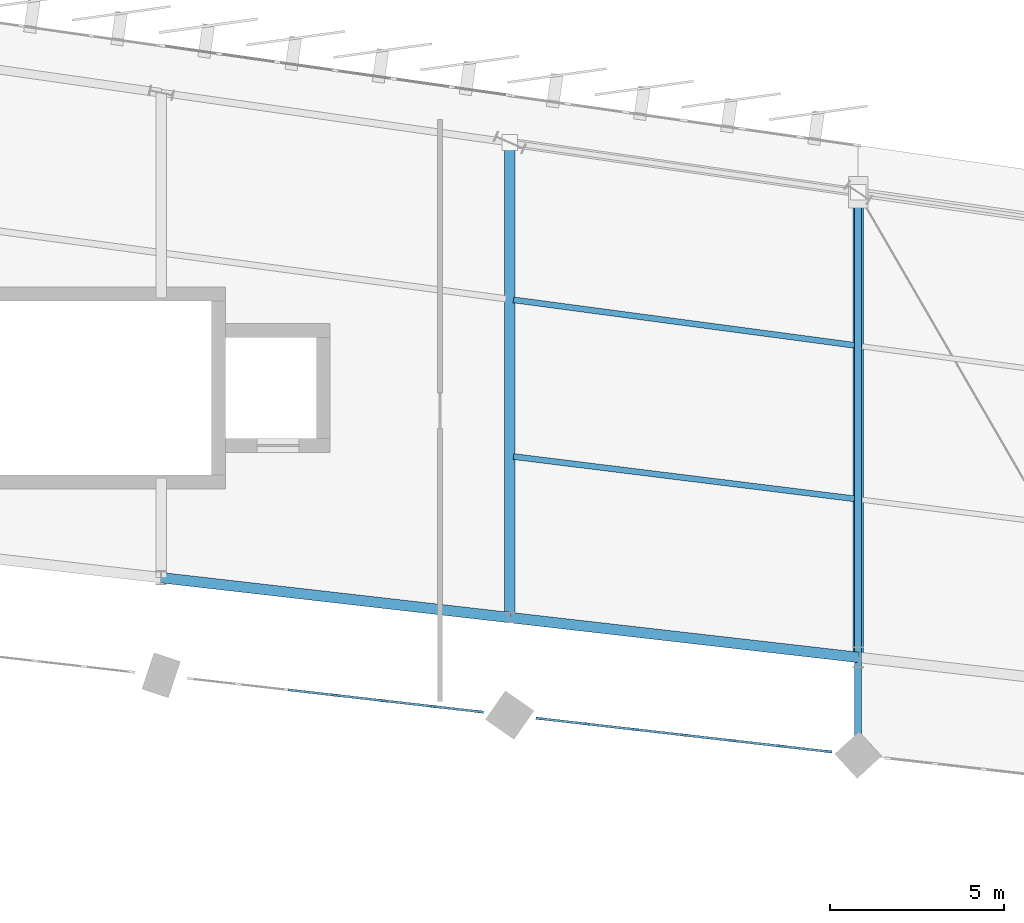
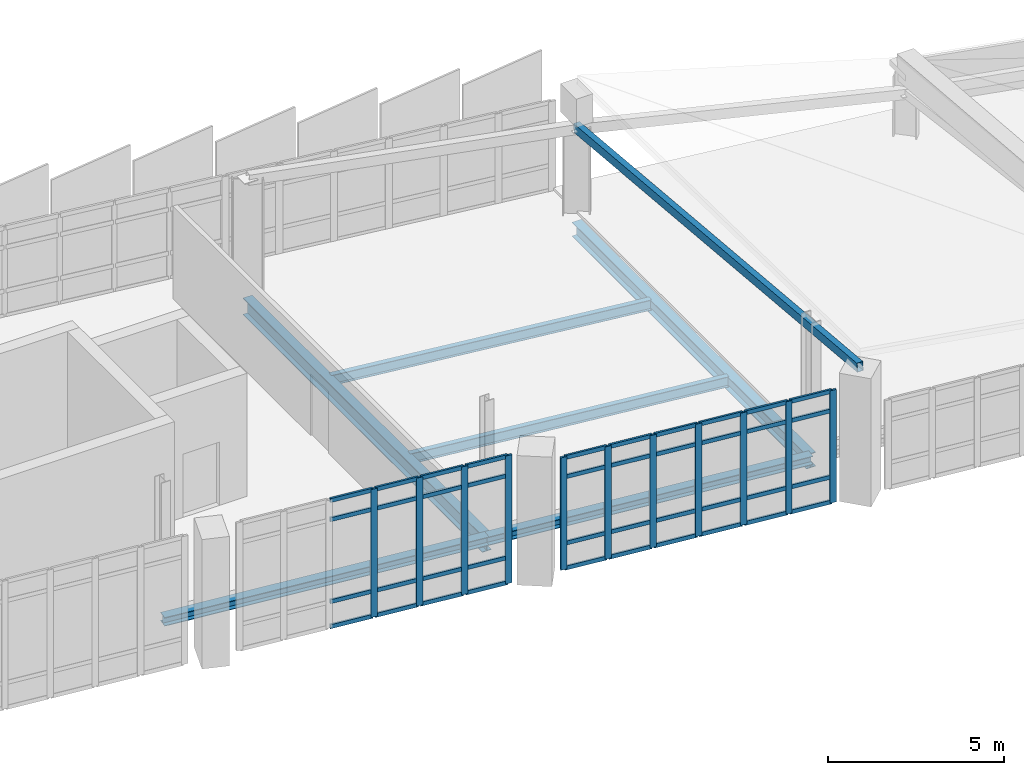
# One storey, part 39 of 67: 52 members, 6 beams, 2 elements without a shape of their own.
"""IFC4 building model written with IfcOpenShell, lengths in metres."""

from ifc_helpers import new_model, si_unit, direction, frame, origin, origin_2d, place, context, subcontext, project, spatial, rectangle, hollow_rectangle, i_section, extrude, material, layer, layer_set, material_profile, profile_set, type_object, element, aggregate, save


model = new_model("IFC4")

# Units and contexts
model_context = context("Model", 3, precision=1e-05, world=origin(), true_north=direction((0.0, 1.0)))
body_context = subcontext(model_context, "Body", "Model", "MODEL_VIEW")
ifc_project = project(units=[si_unit("LENGTHUNIT", "METRE"), si_unit("AREAUNIT", "SQUARE_METRE"), si_unit("VOLUMEUNIT", "CUBIC_METRE"), si_unit("PLANEANGLEUNIT", "RADIAN"), si_unit("MASSUNIT", "GRAM", prefix="KILO")], contexts=[model_context])

# Site, building, storey
site_placement = place(None, origin())
site = spatial("IfcSite", under=ifc_project, at=site_placement, CompositionType="ELEMENT")
building_placement = place(site_placement, origin())
building = spatial("IfcBuilding", under=site, at=building_placement, Name="Sohan Crest Arena", CompositionType="ELEMENT")
storey_placement = place(building_placement, frame((0.0, 0.0, 22.5)))
storey = spatial("IfcBuildingStorey", under=building, at=storey_placement, Name="L05", CompositionType="ELEMENT", Elevation=22.5)

# Curtain wall, members
ifc_material_1 = material(Name="Thermally broken anodised aluminium", Category="aluminium")
ifc_layer = layer(ifc_material_1, 0.18994140625, Name="Thermally broken anodised aluminium")
ifc_layer_set = layer_set([ifc_layer], Name="Thermally broken anodised aluminium")
curtain_wall_type = type_object("IfcCurtainWallType", Name="ARC-CW05", PredefinedType="NOTDEFINED", material=ifc_layer_set)
curtain_wall_1_placement = place(storey_placement, origin())
curtain_wall_1 = element("IfcCurtainWall", 1, at=curtain_wall_1_placement, inside=storey, type_object=curtain_wall_type, Name="Unitised curtain wall CW-198", PredefinedType="NOTDEFINED")
ifc_material_profile_1 = material_profile(ifc_material_1, rectangle(XDim=0.070068359375, YDim=0.199951171875, at=origin_2d()), Name="ALU-MULL 70x200")
ifc_profile_set_1 = profile_set([ifc_material_profile_1], Name="Thermally broken anodised aluminium")
member_type_1 = type_object("IfcMemberType", Name="ARC-CW-ML03", PredefinedType="MULLION", material=ifc_profile_set_1)
member_1_placement = place(storey_placement, frame((127.150146484375, 105.66796875, 0.0), z_axis=(0.0, 0.0, 1.0), x_axis=(-0.11359680696, -0.993526932422, 0.0)))
member_1 = element("IfcMember", 2, at=member_1_placement, type_object=member_type_1, Name="CW-198 mullion 1", PredefinedType="MULLION", context=body_context, shape_type="SweptSolid", body=[
    extrude(rectangle(XDim=0.070068359375, YDim=0.199951171875, at=origin_2d()), origin(), (0.0, 0.0, 1.0), 3.906005859375),
])
member_2_placement = place(storey_placement, frame((125.7900390625, 105.823486328125, 0.0), z_axis=(0.0, 0.0, 1.0), x_axis=(-0.11359680696, -0.993526932422, 0.0)))
member_2 = element("IfcMember", 3, at=member_2_placement, type_object=member_type_1, Name="CW-198 mullion 2", PredefinedType="MULLION", context=body_context, shape_type="SweptSolid", body=[
    extrude(rectangle(XDim=0.070068359375, YDim=0.199951171875, at=origin_2d()), origin(), (0.0, 0.0, 1.0), 3.906005859375),
])
member_3_placement = place(storey_placement, frame((124.39501953125, 105.98291015625, 0.0), z_axis=(0.0, 0.0, 1.0), x_axis=(-0.11359680696, -0.993526932422, 0.0)))
member_3 = element("IfcMember", 4, at=member_3_placement, type_object=member_type_1, Name="CW-198 mullion 3", PredefinedType="MULLION", context=body_context, shape_type="SweptSolid", body=[
    extrude(rectangle(XDim=0.070068359375, YDim=0.199951171875, at=origin_2d()), origin(), (0.0, 0.0, 1.0), 3.906005859375),
])
member_4_placement = place(storey_placement, frame((123.0, 106.142578125, 0.0), z_axis=(0.0, 0.0, 1.0), x_axis=(-0.11359680696, -0.993526932422, 0.0)))
member_4 = element("IfcMember", 5, at=member_4_placement, type_object=member_type_1, Name="CW-198 mullion 4", PredefinedType="MULLION", context=body_context, shape_type="SweptSolid", body=[
    extrude(rectangle(XDim=0.070068359375, YDim=0.199951171875, at=origin_2d()), origin(), (0.0, 0.0, 1.0), 3.906005859375),
])
member_5_placement = place(storey_placement, frame((121.60498046875, 106.302001953125, 0.0), z_axis=(0.0, 0.0, 1.0), x_axis=(-0.11359680696, -0.993526932422, 0.0)))
member_5 = element("IfcMember", 6, at=member_5_placement, type_object=member_type_1, Name="CW-198 mullion 5", PredefinedType="MULLION", context=body_context, shape_type="SweptSolid", body=[
    extrude(rectangle(XDim=0.070068359375, YDim=0.199951171875, at=origin_2d()), origin(), (0.0, 0.0, 1.0), 3.906005859375),
])
member_6_placement = place(storey_placement, frame((120.2099609375, 106.46142578125, 0.0), z_axis=(0.0, 0.0, 1.0), x_axis=(-0.11359680696, -0.993526932422, 0.0)))
member_6 = element("IfcMember", 7, at=member_6_placement, type_object=member_type_1, Name="CW-198 mullion 6", PredefinedType="MULLION", context=body_context, shape_type="SweptSolid", body=[
    extrude(rectangle(XDim=0.070068359375, YDim=0.199951171875, at=origin_2d()), origin(), (0.0, 0.0, 1.0), 3.906005859375),
])
member_7_placement = place(storey_placement, frame((118.849853515625, 106.616943359375, 0.0), z_axis=(0.0, 0.0, 1.0), x_axis=(-0.11359680696, -0.993526932422, 0.0)))
member_7 = element("IfcMember", 8, at=member_7_placement, type_object=member_type_1, Name="CW-198 mullion 7", PredefinedType="MULLION", context=body_context, shape_type="SweptSolid", body=[
    extrude(rectangle(XDim=0.070068359375, YDim=0.199951171875, at=origin_2d()), origin(), (0.0, 0.0, 1.0), 3.906005859375),
])

curtain_wall_2_placement = place(storey_placement, origin())
curtain_wall_2 = element("IfcCurtainWall", 9, at=curtain_wall_2_placement, inside=storey, type_object=curtain_wall_type, Name="Unitised curtain wall CW-199", PredefinedType="NOTDEFINED")
member_8_placement = place(storey_placement, frame((117.150146484375, 106.81103515625, 0.0), z_axis=(0.0, 0.0, 1.0), x_axis=(-0.11359680696, -0.993526932422, 0.0)))
member_8 = element("IfcMember", 10, at=member_8_placement, type_object=member_type_1, Name="CW-199 mullion 1", PredefinedType="MULLION", context=body_context, shape_type="SweptSolid", body=[
    extrude(rectangle(XDim=0.070068359375, YDim=0.199951171875, at=origin_2d()), origin(), (0.0, 0.0, 1.0), 4.449951171875),
])
member_9_placement = place(storey_placement, frame((115.7900390625, 106.966552734375, 0.0), z_axis=(0.0, 0.0, 1.0), x_axis=(-0.11359680696, -0.993526932422, 0.0)))
member_9 = element("IfcMember", 11, at=member_9_placement, type_object=member_type_1, Name="CW-199 mullion 2", PredefinedType="MULLION", context=body_context, shape_type="SweptSolid", body=[
    extrude(rectangle(XDim=0.070068359375, YDim=0.199951171875, at=origin_2d()), origin(), (0.0, 0.0, 1.0), 4.449951171875),
])
member_10_placement = place(storey_placement, frame((114.39501953125, 107.1259765625, 0.0), z_axis=(0.0, 0.0, 1.0), x_axis=(-0.11359680696, -0.993526932422, 0.0)))
member_10 = element("IfcMember", 12, at=member_10_placement, type_object=member_type_1, Name="CW-199 mullion 3", PredefinedType="MULLION", context=body_context, shape_type="SweptSolid", body=[
    extrude(rectangle(XDim=0.070068359375, YDim=0.199951171875, at=origin_2d()), origin(), (0.0, 0.0, 1.0), 4.449951171875),
])
member_11_placement = place(storey_placement, frame((113.0, 107.285400390625, 0.0), z_axis=(0.0, 0.0, 1.0), x_axis=(-0.11359680696, -0.993526932422, 0.0)))
member_11 = element("IfcMember", 13, at=member_11_placement, type_object=member_type_1, Name="CW-199 mullion 4", PredefinedType="MULLION", context=body_context, shape_type="SweptSolid", body=[
    extrude(rectangle(XDim=0.070068359375, YDim=0.199951171875, at=origin_2d()), origin(), (0.0, 0.0, 1.0), 4.449951171875),
])

# Member
ifc_material_profile_2 = material_profile(ifc_material_1, rectangle(XDim=0.06494140625, YDim=0.139892578125, at=origin_2d()), Name="ALU-TRAN 65x140")
ifc_profile_set_2 = profile_set([ifc_material_profile_2], Name="Thermally broken anodised aluminium")
member_type_2 = type_object("IfcMemberType", Name="ARC-CW-TR02", PredefinedType="USERDEFINED", material=ifc_profile_set_2)
member_12_placement = place(storey_placement, frame((127.115478515625, 105.671875, 0.032470703125), z_axis=(-0.99351630859, 0.113689685398, 0.0), x_axis=(-0.113689685398, -0.99351630859, 0.0)))
member_12 = element("IfcMember", 14, at=member_12_placement, type_object=member_type_2, Name="CW-198 transom 1.1", ObjectType="TRANSOM", PredefinedType="USERDEFINED", context=body_context, shape_type="SweptSolid", body=[
    extrude(rectangle(XDim=0.06494140625, YDim=0.139892578125, at=origin_2d()), origin(), (0.0, 0.0, 1.0), 1.29931640625),
])

member_13_placement = place(storey_placement, frame((127.115478515625, 105.671875, 0.89990234375), z_axis=(-0.99351630859, 0.113689685398, 0.0), x_axis=(-0.113689685398, -0.99351630859, 0.0)))
member_13 = element("IfcMember", 15, at=member_13_placement, type_object=member_type_2, Name="CW-198 transom 1.2", ObjectType="TRANSOM", PredefinedType="USERDEFINED", context=body_context, shape_type="SweptSolid", body=[
    extrude(rectangle(XDim=0.06494140625, YDim=0.139892578125, at=origin_2d()), origin(), (0.0, 0.0, 1.0), 1.29931640625),
])

member_14_placement = place(storey_placement, frame((127.115478515625, 105.671875, 3.2060546875), z_axis=(-0.99351630859, 0.113689685398, 0.0), x_axis=(-0.113689685398, -0.99351630859, 0.0)))
member_14 = element("IfcMember", 16, at=member_14_placement, type_object=member_type_2, Name="CW-198 transom 1.3", ObjectType="TRANSOM", PredefinedType="USERDEFINED", context=body_context, shape_type="SweptSolid", body=[
    extrude(rectangle(XDim=0.06494140625, YDim=0.139892578125, at=origin_2d()), origin(), (0.0, 0.0, 1.0), 1.29931640625),
])

member_15_placement = place(storey_placement, frame((127.115478515625, 105.671875, 3.87353515625), z_axis=(-0.99351630859, 0.113689685398, 0.0), x_axis=(-0.113689685398, -0.99351630859, 0.0)))
member_15 = element("IfcMember", 17, at=member_15_placement, type_object=member_type_2, Name="CW-198 transom 1.4", ObjectType="TRANSOM", PredefinedType="USERDEFINED", context=body_context, shape_type="SweptSolid", body=[
    extrude(rectangle(XDim=0.06494140625, YDim=0.139892578125, at=origin_2d()), origin(), (0.0, 0.0, 1.0), 1.29931640625),
])

member_16_placement = place(storey_placement, frame((125.755126953125, 105.827392578125, 0.032470703125), z_axis=(-0.993521460563, 0.113644654082, 0.0), x_axis=(-0.113644654082, -0.993521460563, 0.0)))
member_16 = element("IfcMember", 18, at=member_16_placement, type_object=member_type_2, Name="CW-198 transom 2.1", ObjectType="TRANSOM", PredefinedType="USERDEFINED", context=body_context, shape_type="SweptSolid", body=[
    extrude(rectangle(XDim=0.06494140625, YDim=0.139892578125, at=origin_2d()), origin(), (0.0, 0.0, 1.0), 1.333984375),
])

member_17_placement = place(storey_placement, frame((125.755126953125, 105.827392578125, 0.89990234375), z_axis=(-0.993521460563, 0.113644654082, 0.0), x_axis=(-0.113644654082, -0.993521460563, 0.0)))
member_17 = element("IfcMember", 19, at=member_17_placement, type_object=member_type_2, Name="CW-198 transom 2.2", ObjectType="TRANSOM", PredefinedType="USERDEFINED", context=body_context, shape_type="SweptSolid", body=[
    extrude(rectangle(XDim=0.06494140625, YDim=0.139892578125, at=origin_2d()), origin(), (0.0, 0.0, 1.0), 1.333984375),
])

member_18_placement = place(storey_placement, frame((125.755126953125, 105.827392578125, 3.2060546875), z_axis=(-0.993521460563, 0.113644654082, 0.0), x_axis=(-0.113644654082, -0.993521460563, 0.0)))
member_18 = element("IfcMember", 20, at=member_18_placement, type_object=member_type_2, Name="CW-198 transom 2.3", ObjectType="TRANSOM", PredefinedType="USERDEFINED", context=body_context, shape_type="SweptSolid", body=[
    extrude(rectangle(XDim=0.06494140625, YDim=0.139892578125, at=origin_2d()), origin(), (0.0, 0.0, 1.0), 1.333984375),
])

member_19_placement = place(storey_placement, frame((125.755126953125, 105.827392578125, 3.87353515625), z_axis=(-0.993521460563, 0.113644654082, 0.0), x_axis=(-0.113644654082, -0.993521460563, 0.0)))
member_19 = element("IfcMember", 21, at=member_19_placement, type_object=member_type_2, Name="CW-198 transom 2.4", ObjectType="TRANSOM", PredefinedType="USERDEFINED", context=body_context, shape_type="SweptSolid", body=[
    extrude(rectangle(XDim=0.06494140625, YDim=0.139892578125, at=origin_2d()), origin(), (0.0, 0.0, 1.0), 1.333984375),
])

member_20_placement = place(storey_placement, frame((124.360107421875, 105.987060546875, 0.032470703125), z_axis=(-0.993542107108, 0.113464009285, 0.0), x_axis=(-0.113464009285, -0.993542107108, 0.0)))
member_20 = element("IfcMember", 22, at=member_20_placement, type_object=member_type_2, Name="CW-198 transom 3.1", ObjectType="TRANSOM", PredefinedType="USERDEFINED", context=body_context, shape_type="SweptSolid", body=[
    extrude(rectangle(XDim=0.06494140625, YDim=0.139892578125, at=origin_2d()), origin(), (0.0, 0.0, 1.0), 1.333984375),
])

member_21_placement = place(storey_placement, frame((124.360107421875, 105.987060546875, 0.89990234375), z_axis=(-0.993542107108, 0.113464009285, 0.0), x_axis=(-0.113464009285, -0.993542107108, 0.0)))
member_21 = element("IfcMember", 23, at=member_21_placement, type_object=member_type_2, Name="CW-198 transom 3.2", ObjectType="TRANSOM", PredefinedType="USERDEFINED", context=body_context, shape_type="SweptSolid", body=[
    extrude(rectangle(XDim=0.06494140625, YDim=0.139892578125, at=origin_2d()), origin(), (0.0, 0.0, 1.0), 1.333984375),
])

member_22_placement = place(storey_placement, frame((124.360107421875, 105.987060546875, 3.2060546875), z_axis=(-0.993542107108, 0.113464009285, 0.0), x_axis=(-0.113464009285, -0.993542107108, 0.0)))
member_22 = element("IfcMember", 24, at=member_22_placement, type_object=member_type_2, Name="CW-198 transom 3.3", ObjectType="TRANSOM", PredefinedType="USERDEFINED", context=body_context, shape_type="SweptSolid", body=[
    extrude(rectangle(XDim=0.06494140625, YDim=0.139892578125, at=origin_2d()), origin(), (0.0, 0.0, 1.0), 1.333984375),
])

member_23_placement = place(storey_placement, frame((124.360107421875, 105.987060546875, 3.87353515625), z_axis=(-0.993542107108, 0.113464009285, 0.0), x_axis=(-0.113464009285, -0.993542107108, 0.0)))
member_23 = element("IfcMember", 25, at=member_23_placement, type_object=member_type_2, Name="CW-198 transom 3.4", ObjectType="TRANSOM", PredefinedType="USERDEFINED", context=body_context, shape_type="SweptSolid", body=[
    extrude(rectangle(XDim=0.06494140625, YDim=0.139892578125, at=origin_2d()), origin(), (0.0, 0.0, 1.0), 1.333984375),
])

member_24_placement = place(storey_placement, frame((122.96533203125, 106.146484375, 0.032470703125), z_axis=(-0.993521460563, 0.113644654082, 0.0), x_axis=(-0.113644654082, -0.993521460563, 0.0)))
member_24 = element("IfcMember", 26, at=member_24_placement, type_object=member_type_2, Name="CW-198 transom 4.1", ObjectType="TRANSOM", PredefinedType="USERDEFINED", context=body_context, shape_type="SweptSolid", body=[
    extrude(rectangle(XDim=0.06494140625, YDim=0.139892578125, at=origin_2d()), origin(), (0.0, 0.0, 1.0), 1.333984375),
])

member_25_placement = place(storey_placement, frame((122.96533203125, 106.146484375, 0.89990234375), z_axis=(-0.993521460563, 0.113644654082, 0.0), x_axis=(-0.113644654082, -0.993521460563, 0.0)))
member_25 = element("IfcMember", 27, at=member_25_placement, type_object=member_type_2, Name="CW-198 transom 4.2", ObjectType="TRANSOM", PredefinedType="USERDEFINED", context=body_context, shape_type="SweptSolid", body=[
    extrude(rectangle(XDim=0.06494140625, YDim=0.139892578125, at=origin_2d()), origin(), (0.0, 0.0, 1.0), 1.333984375),
])

member_26_placement = place(storey_placement, frame((122.96533203125, 106.146484375, 3.2060546875), z_axis=(-0.993521460563, 0.113644654082, 0.0), x_axis=(-0.113644654082, -0.993521460563, 0.0)))
member_26 = element("IfcMember", 28, at=member_26_placement, type_object=member_type_2, Name="CW-198 transom 4.3", ObjectType="TRANSOM", PredefinedType="USERDEFINED", context=body_context, shape_type="SweptSolid", body=[
    extrude(rectangle(XDim=0.06494140625, YDim=0.139892578125, at=origin_2d()), origin(), (0.0, 0.0, 1.0), 1.333984375),
])

member_27_placement = place(storey_placement, frame((122.96533203125, 106.146484375, 3.87353515625), z_axis=(-0.993521460563, 0.113644654082, 0.0), x_axis=(-0.113644654082, -0.993521460563, 0.0)))
member_27 = element("IfcMember", 29, at=member_27_placement, type_object=member_type_2, Name="CW-198 transom 4.4", ObjectType="TRANSOM", PredefinedType="USERDEFINED", context=body_context, shape_type="SweptSolid", body=[
    extrude(rectangle(XDim=0.06494140625, YDim=0.139892578125, at=origin_2d()), origin(), (0.0, 0.0, 1.0), 1.333984375),
])

member_28_placement = place(storey_placement, frame((121.5703125, 106.305908203125, 0.032470703125), z_axis=(-0.993521460563, 0.113644654082, 0.0), x_axis=(-0.113644654082, -0.993521460563, 0.0)))
member_28 = element("IfcMember", 30, at=member_28_placement, type_object=member_type_2, Name="CW-198 transom 5.1", ObjectType="TRANSOM", PredefinedType="USERDEFINED", context=body_context, shape_type="SweptSolid", body=[
    extrude(rectangle(XDim=0.06494140625, YDim=0.139892578125, at=origin_2d()), origin(), (0.0, 0.0, 1.0), 1.333984375),
])

member_29_placement = place(storey_placement, frame((121.5703125, 106.305908203125, 0.89990234375), z_axis=(-0.993521460563, 0.113644654082, 0.0), x_axis=(-0.113644654082, -0.993521460563, 0.0)))
member_29 = element("IfcMember", 31, at=member_29_placement, type_object=member_type_2, Name="CW-198 transom 5.2", ObjectType="TRANSOM", PredefinedType="USERDEFINED", context=body_context, shape_type="SweptSolid", body=[
    extrude(rectangle(XDim=0.06494140625, YDim=0.139892578125, at=origin_2d()), origin(), (0.0, 0.0, 1.0), 1.333984375),
])

member_30_placement = place(storey_placement, frame((121.5703125, 106.305908203125, 3.2060546875), z_axis=(-0.993521460563, 0.113644654082, 0.0), x_axis=(-0.113644654082, -0.993521460563, 0.0)))
member_30 = element("IfcMember", 32, at=member_30_placement, type_object=member_type_2, Name="CW-198 transom 5.3", ObjectType="TRANSOM", PredefinedType="USERDEFINED", context=body_context, shape_type="SweptSolid", body=[
    extrude(rectangle(XDim=0.06494140625, YDim=0.139892578125, at=origin_2d()), origin(), (0.0, 0.0, 1.0), 1.333984375),
])

member_31_placement = place(storey_placement, frame((121.5703125, 106.305908203125, 3.87353515625), z_axis=(-0.993521460563, 0.113644654082, 0.0), x_axis=(-0.113644654082, -0.993521460563, 0.0)))
member_31 = element("IfcMember", 33, at=member_31_placement, type_object=member_type_2, Name="CW-198 transom 5.4", ObjectType="TRANSOM", PredefinedType="USERDEFINED", context=body_context, shape_type="SweptSolid", body=[
    extrude(rectangle(XDim=0.06494140625, YDim=0.139892578125, at=origin_2d()), origin(), (0.0, 0.0, 1.0), 1.333984375),
])

member_32_placement = place(storey_placement, frame((120.17529296875, 106.465576171875, 0.032470703125), z_axis=(-0.993537517414, 0.113504191511, 0.0), x_axis=(-0.113504191511, -0.993537517414, 0.0)))
member_32 = element("IfcMember", 34, at=member_32_placement, type_object=member_type_2, Name="CW-198 transom 6.1", ObjectType="TRANSOM", PredefinedType="USERDEFINED", context=body_context, shape_type="SweptSolid", body=[
    extrude(rectangle(XDim=0.06494140625, YDim=0.139892578125, at=origin_2d()), origin(), (0.0, 0.0, 1.0), 1.299072265625),
])

member_33_placement = place(storey_placement, frame((120.17529296875, 106.465576171875, 0.89990234375), z_axis=(-0.993537517414, 0.113504191511, 0.0), x_axis=(-0.113504191511, -0.993537517414, 0.0)))
member_33 = element("IfcMember", 35, at=member_33_placement, type_object=member_type_2, Name="CW-198 transom 6.2", ObjectType="TRANSOM", PredefinedType="USERDEFINED", context=body_context, shape_type="SweptSolid", body=[
    extrude(rectangle(XDim=0.06494140625, YDim=0.139892578125, at=origin_2d()), origin(), (0.0, 0.0, 1.0), 1.299072265625),
])

member_34_placement = place(storey_placement, frame((120.17529296875, 106.465576171875, 3.2060546875), z_axis=(-0.993537517414, 0.113504191511, 0.0), x_axis=(-0.113504191511, -0.993537517414, 0.0)))
member_34 = element("IfcMember", 36, at=member_34_placement, type_object=member_type_2, Name="CW-198 transom 6.3", ObjectType="TRANSOM", PredefinedType="USERDEFINED", context=body_context, shape_type="SweptSolid", body=[
    extrude(rectangle(XDim=0.06494140625, YDim=0.139892578125, at=origin_2d()), origin(), (0.0, 0.0, 1.0), 1.299072265625),
])

member_35_placement = place(storey_placement, frame((120.17529296875, 106.465576171875, 3.87353515625), z_axis=(-0.993537517414, 0.113504191511, 0.0), x_axis=(-0.113504191511, -0.993537517414, 0.0)))
member_35 = element("IfcMember", 37, at=member_35_placement, type_object=member_type_2, Name="CW-198 transom 6.4", ObjectType="TRANSOM", PredefinedType="USERDEFINED", context=body_context, shape_type="SweptSolid", body=[
    extrude(rectangle(XDim=0.06494140625, YDim=0.139892578125, at=origin_2d()), origin(), (0.0, 0.0, 1.0), 1.299072265625),
])

aggregate(curtain_wall_1, [member_1, member_2, member_3, member_4, member_5, member_6, member_7, member_12, member_13, member_14, member_15, member_16, member_17, member_18, member_19, member_20, member_21, member_22, member_23, member_24, member_25, member_26, member_27, member_28, member_29, member_30, member_31, member_32, member_33, member_34, member_35])

member_36_placement = place(storey_placement, frame((117.115478515625, 106.81494140625, 0.032470703125), z_axis=(-0.993537517414, 0.113504191511, 0.0), x_axis=(-0.113504191511, -0.993537517414, 0.0)))
member_36 = element("IfcMember", 38, at=member_36_placement, type_object=member_type_2, Name="CW-199 transom 1.1", ObjectType="TRANSOM", PredefinedType="USERDEFINED", context=body_context, shape_type="SweptSolid", body=[
    extrude(rectangle(XDim=0.06494140625, YDim=0.139892578125, at=origin_2d()), origin(), (0.0, 0.0, 1.0), 1.299072265625),
])

member_37_placement = place(storey_placement, frame((117.115478515625, 106.81494140625, 0.89990234375), z_axis=(-0.993537517414, 0.113504191511, 0.0), x_axis=(-0.113504191511, -0.993537517414, 0.0)))
member_37 = element("IfcMember", 39, at=member_37_placement, type_object=member_type_2, Name="CW-199 transom 1.2", ObjectType="TRANSOM", PredefinedType="USERDEFINED", context=body_context, shape_type="SweptSolid", body=[
    extrude(rectangle(XDim=0.06494140625, YDim=0.139892578125, at=origin_2d()), origin(), (0.0, 0.0, 1.0), 1.299072265625),
])

member_38_placement = place(storey_placement, frame((117.115478515625, 106.81494140625, 3.75), z_axis=(-0.993537517414, 0.113504191511, 0.0), x_axis=(-0.113504191511, -0.993537517414, 0.0)))
member_38 = element("IfcMember", 40, at=member_38_placement, type_object=member_type_2, Name="CW-199 transom 1.3", ObjectType="TRANSOM", PredefinedType="USERDEFINED", context=body_context, shape_type="SweptSolid", body=[
    extrude(rectangle(XDim=0.06494140625, YDim=0.139892578125, at=origin_2d()), origin(), (0.0, 0.0, 1.0), 1.299072265625),
])

member_39_placement = place(storey_placement, frame((117.115478515625, 106.81494140625, 4.41748046875), z_axis=(-0.993537517414, 0.113504191511, 0.0), x_axis=(-0.113504191511, -0.993537517414, 0.0)))
member_39 = element("IfcMember", 41, at=member_39_placement, type_object=member_type_2, Name="CW-199 transom 1.4", ObjectType="TRANSOM", PredefinedType="USERDEFINED", context=body_context, shape_type="SweptSolid", body=[
    extrude(rectangle(XDim=0.06494140625, YDim=0.139892578125, at=origin_2d()), origin(), (0.0, 0.0, 1.0), 1.299072265625),
])

member_40_placement = place(storey_placement, frame((115.755126953125, 106.970458984375, 0.032470703125), z_axis=(-0.993521460563, 0.113644654082, 0.0), x_axis=(-0.113644654082, -0.993521460563, 0.0)))
member_40 = element("IfcMember", 42, at=member_40_placement, type_object=member_type_2, Name="CW-199 transom 2.1", ObjectType="TRANSOM", PredefinedType="USERDEFINED", context=body_context, shape_type="SweptSolid", body=[
    extrude(rectangle(XDim=0.06494140625, YDim=0.139892578125, at=origin_2d()), origin(), (0.0, 0.0, 1.0), 1.333984375),
])

member_41_placement = place(storey_placement, frame((115.755126953125, 106.970458984375, 0.89990234375), z_axis=(-0.993521460563, 0.113644654082, 0.0), x_axis=(-0.113644654082, -0.993521460563, 0.0)))
member_41 = element("IfcMember", 43, at=member_41_placement, type_object=member_type_2, Name="CW-199 transom 2.2", ObjectType="TRANSOM", PredefinedType="USERDEFINED", context=body_context, shape_type="SweptSolid", body=[
    extrude(rectangle(XDim=0.06494140625, YDim=0.139892578125, at=origin_2d()), origin(), (0.0, 0.0, 1.0), 1.333984375),
])

member_42_placement = place(storey_placement, frame((115.755126953125, 106.970458984375, 3.75), z_axis=(-0.993521460563, 0.113644654082, 0.0), x_axis=(-0.113644654082, -0.993521460563, 0.0)))
member_42 = element("IfcMember", 44, at=member_42_placement, type_object=member_type_2, Name="CW-199 transom 2.3", ObjectType="TRANSOM", PredefinedType="USERDEFINED", context=body_context, shape_type="SweptSolid", body=[
    extrude(rectangle(XDim=0.06494140625, YDim=0.139892578125, at=origin_2d()), origin(), (0.0, 0.0, 1.0), 1.333984375),
])

member_43_placement = place(storey_placement, frame((115.755126953125, 106.970458984375, 4.41748046875), z_axis=(-0.993521460563, 0.113644654082, 0.0), x_axis=(-0.113644654082, -0.993521460563, 0.0)))
member_43 = element("IfcMember", 45, at=member_43_placement, type_object=member_type_2, Name="CW-199 transom 2.4", ObjectType="TRANSOM", PredefinedType="USERDEFINED", context=body_context, shape_type="SweptSolid", body=[
    extrude(rectangle(XDim=0.06494140625, YDim=0.139892578125, at=origin_2d()), origin(), (0.0, 0.0, 1.0), 1.333984375),
])

member_44_placement = place(storey_placement, frame((114.360107421875, 107.1298828125, 0.032470703125), z_axis=(-0.993521460563, 0.113644654082, 0.0), x_axis=(-0.113644654082, -0.993521460563, 0.0)))
member_44 = element("IfcMember", 46, at=member_44_placement, type_object=member_type_2, Name="CW-199 transom 3.1", ObjectType="TRANSOM", PredefinedType="USERDEFINED", context=body_context, shape_type="SweptSolid", body=[
    extrude(rectangle(XDim=0.06494140625, YDim=0.139892578125, at=origin_2d()), origin(), (0.0, 0.0, 1.0), 1.333984375),
])

member_45_placement = place(storey_placement, frame((114.360107421875, 107.1298828125, 0.89990234375), z_axis=(-0.993521460563, 0.113644654082, 0.0), x_axis=(-0.113644654082, -0.993521460563, 0.0)))
member_45 = element("IfcMember", 47, at=member_45_placement, type_object=member_type_2, Name="CW-199 transom 3.2", ObjectType="TRANSOM", PredefinedType="USERDEFINED", context=body_context, shape_type="SweptSolid", body=[
    extrude(rectangle(XDim=0.06494140625, YDim=0.139892578125, at=origin_2d()), origin(), (0.0, 0.0, 1.0), 1.333984375),
])

member_46_placement = place(storey_placement, frame((114.360107421875, 107.1298828125, 3.75), z_axis=(-0.993521460563, 0.113644654082, 0.0), x_axis=(-0.113644654082, -0.993521460563, 0.0)))
member_46 = element("IfcMember", 48, at=member_46_placement, type_object=member_type_2, Name="CW-199 transom 3.3", ObjectType="TRANSOM", PredefinedType="USERDEFINED", context=body_context, shape_type="SweptSolid", body=[
    extrude(rectangle(XDim=0.06494140625, YDim=0.139892578125, at=origin_2d()), origin(), (0.0, 0.0, 1.0), 1.333984375),
])

member_47_placement = place(storey_placement, frame((114.360107421875, 107.1298828125, 4.41748046875), z_axis=(-0.993521460563, 0.113644654082, 0.0), x_axis=(-0.113644654082, -0.993521460563, 0.0)))
member_47 = element("IfcMember", 49, at=member_47_placement, type_object=member_type_2, Name="CW-199 transom 3.4", ObjectType="TRANSOM", PredefinedType="USERDEFINED", context=body_context, shape_type="SweptSolid", body=[
    extrude(rectangle(XDim=0.06494140625, YDim=0.139892578125, at=origin_2d()), origin(), (0.0, 0.0, 1.0), 1.333984375),
])

member_48_placement = place(storey_placement, frame((112.96533203125, 107.28955078125, 0.032470703125), z_axis=(-0.993542107108, 0.113464009285, 0.0), x_axis=(-0.113464009285, -0.993542107108, 0.0)))
member_48 = element("IfcMember", 50, at=member_48_placement, type_object=member_type_2, Name="CW-199 transom 4.1", ObjectType="TRANSOM", PredefinedType="USERDEFINED", context=body_context, shape_type="SweptSolid", body=[
    extrude(rectangle(XDim=0.06494140625, YDim=0.139892578125, at=origin_2d()), origin(), (0.0, 0.0, 1.0), 1.333984375),
])

member_49_placement = place(storey_placement, frame((112.96533203125, 107.28955078125, 0.89990234375), z_axis=(-0.993542107108, 0.113464009285, 0.0), x_axis=(-0.113464009285, -0.993542107108, 0.0)))
member_49 = element("IfcMember", 51, at=member_49_placement, type_object=member_type_2, Name="CW-199 transom 4.2", ObjectType="TRANSOM", PredefinedType="USERDEFINED", context=body_context, shape_type="SweptSolid", body=[
    extrude(rectangle(XDim=0.06494140625, YDim=0.139892578125, at=origin_2d()), origin(), (0.0, 0.0, 1.0), 1.333984375),
])

member_50_placement = place(storey_placement, frame((112.96533203125, 107.28955078125, 3.75), z_axis=(-0.993542107108, 0.113464009285, 0.0), x_axis=(-0.113464009285, -0.993542107108, 0.0)))
member_50 = element("IfcMember", 52, at=member_50_placement, type_object=member_type_2, Name="CW-199 transom 4.3", ObjectType="TRANSOM", PredefinedType="USERDEFINED", context=body_context, shape_type="SweptSolid", body=[
    extrude(rectangle(XDim=0.06494140625, YDim=0.139892578125, at=origin_2d()), origin(), (0.0, 0.0, 1.0), 1.333984375),
])

member_51_placement = place(storey_placement, frame((112.96533203125, 107.28955078125, 4.41748046875), z_axis=(-0.993542107108, 0.113464009285, 0.0), x_axis=(-0.113464009285, -0.993542107108, 0.0)))
member_51 = element("IfcMember", 53, at=member_51_placement, type_object=member_type_2, Name="CW-199 transom 4.4", ObjectType="TRANSOM", PredefinedType="USERDEFINED", context=body_context, shape_type="SweptSolid", body=[
    extrude(rectangle(XDim=0.06494140625, YDim=0.139892578125, at=origin_2d()), origin(), (0.0, 0.0, 1.0), 1.333984375),
])

aggregate(curtain_wall_2, [member_8, member_9, member_10, member_11, member_36, member_37, member_38, member_39, member_40, member_41, member_42, member_43, member_44, member_45, member_46, member_47, member_48, member_49, member_50, member_51])

# Beams
ifc_material_2 = material(Name="Steel S355", Category="steel")
ifc_material_profile_3 = material_profile(ifc_material_2, i_section(OverallWidth=0.169921875, OverallDepth=0.360107421875, WebThickness=0.008056640625, FlangeThickness=0.0126953125, at=origin_2d()), Name="IPE 360")
ifc_profile_set_3 = profile_set([ifc_material_profile_3], Name="Steel S355")
beam_type_1 = type_object("IfcBeamType", Name="STR-BM-B02", PredefinedType="JOIST", material=ifc_profile_set_3)
beam_1_placement = place(storey_placement, frame((127.89111328125, 112.922119140625, -0.429931640625), z_axis=(-0.992412936892, 0.122949431435, 0.0), x_axis=(-0.122949431435, -0.992412936892, 0.0)))
element("IfcBeam", 54, at=beam_1_placement, inside=storey, type_object=beam_type_1, Name="Structural beam J-L05-1854", PredefinedType="JOIST", context=body_context, shape_type="SweptSolid", body=[
    extrude(i_section(OverallWidth=0.169921875, OverallDepth=0.360107421875, WebThickness=0.008056640625, FlangeThickness=0.0126953125, at=origin_2d()), origin(), (0.0, 0.0, 1.0), 9.85693359375),
])
beam_2_placement = place(storey_placement, frame((127.89111328125, 117.325927734375, -0.429931640625), z_axis=(-0.991232437337, 0.132129690721, 0.0), x_axis=(-0.132129690721, -0.991232437337, 0.0)))
element("IfcBeam", 55, at=beam_2_placement, inside=storey, type_object=beam_type_1, Name="Structural beam J-L05-1855", PredefinedType="JOIST", context=body_context, shape_type="SweptSolid", body=[
    extrude(i_section(OverallWidth=0.169921875, OverallDepth=0.360107421875, WebThickness=0.008056640625, FlangeThickness=0.0126953125, at=origin_2d()), origin(), (0.0, 0.0, 1.0), 9.86865234375),
])
ifc_material_profile_4 = material_profile(ifc_material_2, i_section(OverallWidth=0.300048828125, OverallDepth=0.590087890625, WebThickness=0.012939453125, FlangeThickness=0.02490234375, at=origin_2d()), Name="HEA 600")
ifc_profile_set_4 = profile_set([ifc_material_profile_4], Name="Steel S355")
beam_type_2 = type_object("IfcBeamType", Name="STR-BM-B11", PredefinedType="BEAM", material=ifc_profile_set_4)
beam_3_placement = place(storey_placement, frame((118.0, 109.513916015625, -0.544921875), z_axis=(0.0, 1.0, 0.0), x_axis=(-1.0, 0.0, 0.0)))
element("IfcBeam", 56, at=beam_3_placement, inside=storey, type_object=beam_type_2, Name="Structural beam G-L05-1856", PredefinedType="BEAM", context=body_context, shape_type="SweptSolid", body=[
    extrude(i_section(OverallWidth=0.300048828125, OverallDepth=0.590087890625, WebThickness=0.012939453125, FlangeThickness=0.02490234375, at=origin_2d()), origin(), (0.0, 0.0, 1.0), 13.629150390625),
])
ifc_material_profile_5 = material_profile(ifc_material_2, i_section(OverallWidth=0.300048828125, OverallDepth=0.300048828125, WebThickness=0.010986328125, FlangeThickness=0.01904296875, at=origin_2d()), Name="HEB 300")
ifc_profile_set_5 = profile_set([ifc_material_profile_5], Name="Steel S355")
beam_type_3 = type_object("IfcBeamType", Name="STR-BM-B12", PredefinedType="BEAM", material=ifc_profile_set_5)
for number, where, z_axis, x_axis, name in (
    (57, (128.0, 108.37109375, -0.39990234375), (-0.993533063564, 0.113543170668, 0.0), (-0.113543170668, -0.993533063564, 0.0), "Structural beam G-L05-1852"),
    (58, (118.0, 109.513916015625, -0.39990234375), (-0.99353032697, 0.113567114035, 0.0), (-0.113567114035, -0.99353032697, 0.0), "Structural beam G-L05-1857"),
):
    element("IfcBeam", number, at=place(storey_placement, frame(where, z_axis=z_axis, x_axis=x_axis)), inside=storey, type_object=beam_type_3, Name=name, PredefinedType="BEAM", context=body_context, shape_type="SweptSolid", body=[
        extrude(i_section(OverallWidth=0.300048828125, OverallDepth=0.300048828125, WebThickness=0.010986328125, FlangeThickness=0.01904296875, at=origin_2d()), origin(), (0.0, 0.0, 1.0), 10.065185546875),
    ])
ifc_material_profile_6 = material_profile(ifc_material_2, i_section(OverallWidth=0.300048828125, OverallDepth=0.5, WebThickness=0.014404296875, FlangeThickness=0.028076171875, at=origin_2d()), Name="HEB 500")
ifc_profile_set_6 = profile_set([ifc_material_profile_6], Name="Steel S355")
beam_type_4 = type_object("IfcBeamType", Name="STR-BM-B14", PredefinedType="BEAM", material=ifc_profile_set_6)
beam_4_placement = place(storey_placement, frame((128.0, 108.37109375, -0.5), z_axis=(0.0, 1.0, 0.0), x_axis=(-1.0, 0.0, 0.0)))
element("IfcBeam", 59, at=beam_4_placement, inside=storey, type_object=beam_type_4, Name="Structural beam G-L05-1851", PredefinedType="BEAM", context=body_context, shape_type="SweptSolid", body=[
    extrude(i_section(OverallWidth=0.300048828125, OverallDepth=0.5, WebThickness=0.014404296875, FlangeThickness=0.028076171875, at=origin_2d()), origin(), (0.0, 0.0, 1.0), 13.343017578125),
])

# Member
ifc_material_profile_7 = material_profile(ifc_material_2, hollow_rectangle(XDim=0.199951171875, YDim=0.300048828125, WallThickness=0.010009765625, at=origin_2d()), Name="RHS 300x200x10")
ifc_profile_set_7 = profile_set([ifc_material_profile_7], Name="Steel S355")
member_type_3 = type_object("IfcMemberType", Name="STR-MEM-CH03", PredefinedType="CHORD", material=ifc_profile_set_7)
member_52_placement = place(storey_placement, frame((128.0, 105.571044921875, 4.45703125), z_axis=(0.0, 0.995990533106, -0.089458694173), x_axis=(-1.0, 0.0, 0.0)))
element("IfcMember", 60, at=member_52_placement, inside=storey, type_object=member_type_3, Name="Outer roof-edge radial tie chord ORT-32", PredefinedType="CHORD", context=body_context, shape_type="SweptSolid", body=[
    extrude(hollow_rectangle(XDim=0.199951171875, YDim=0.300048828125, WallThickness=0.010009765625, at=origin_2d()), origin(), (0.0, 0.0, 1.0), 16.2080078125),
])

save(model, "model.ifc")
